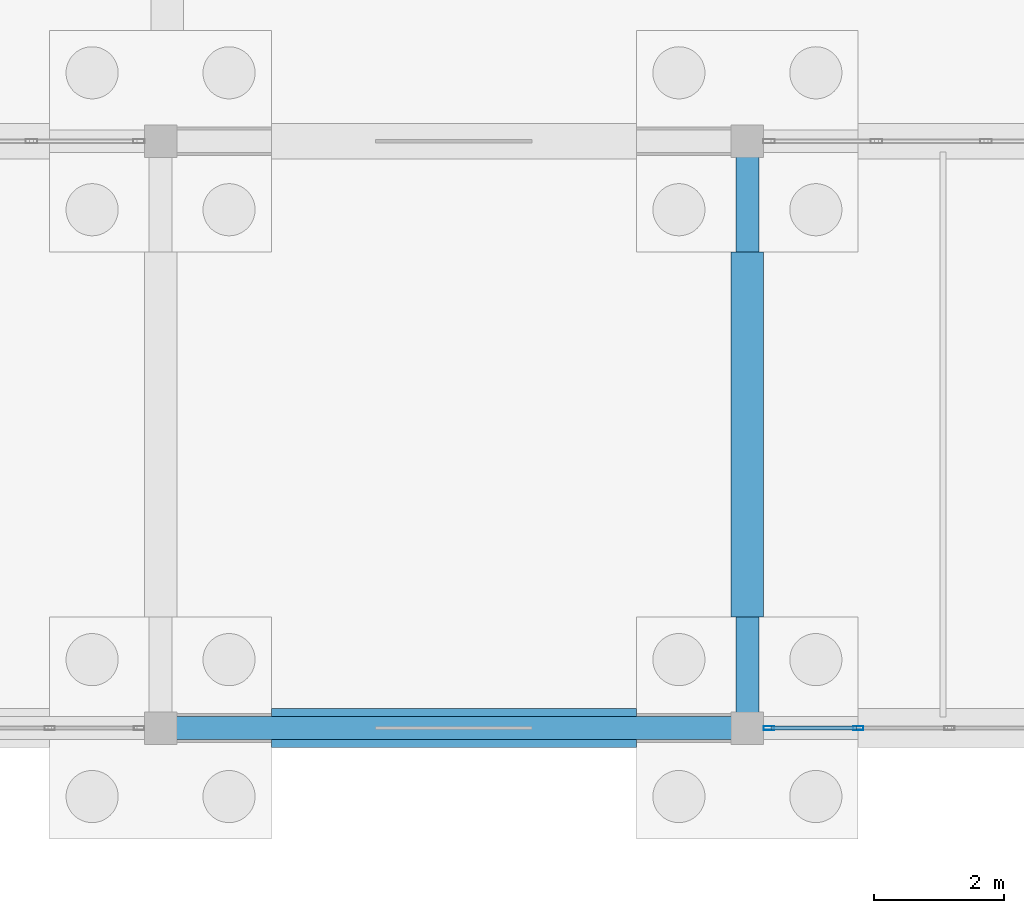
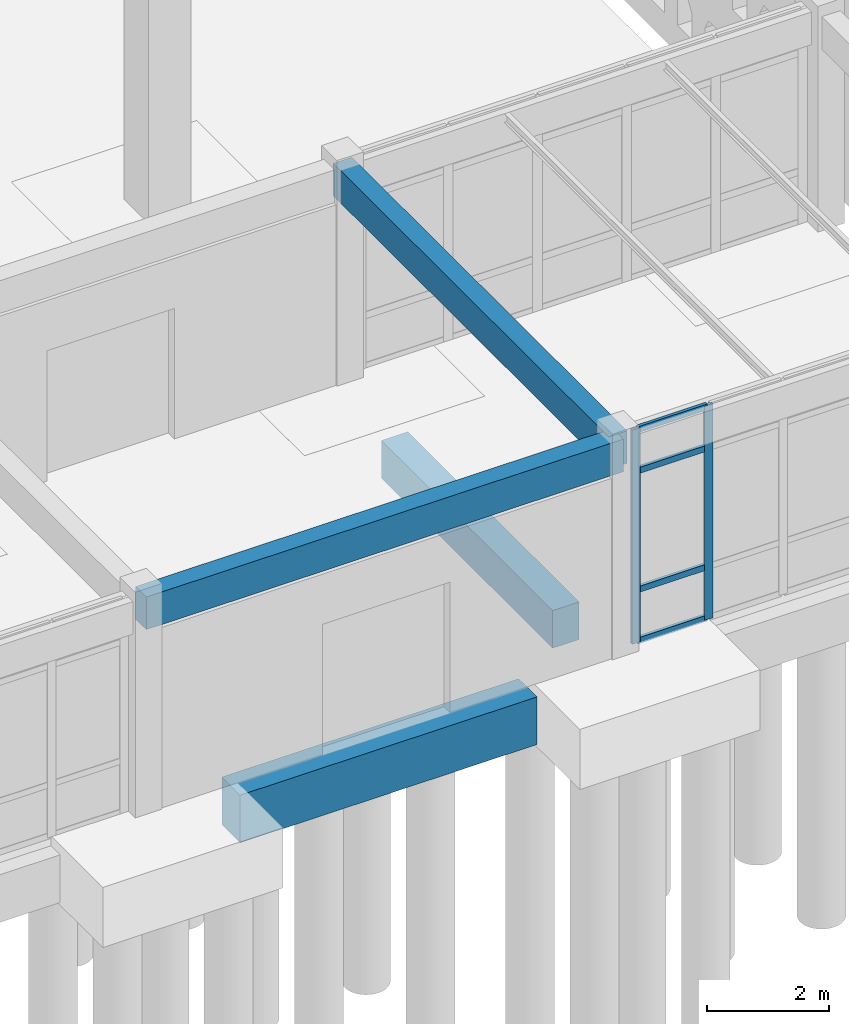
# One storey, part 30 of 186: 6 members, 4 beams, 1 element without a shape of its own.
"""IFC4 building model written with IfcOpenShell, lengths in metres."""

from ifc_helpers import new_model, si_unit, direction, frame, origin, origin_2d, place, context, subcontext, project, spatial, rectangle, hollow_rectangle, extrude, material, layer, layer_set, material_profile, profile_set, type_object, element, aggregate, save


model = new_model("IFC4")

# Units and contexts
model_context = context("Model", 3, precision=1e-05, world=origin(), true_north=direction((0.0, 1.0)))
body_context = subcontext(model_context, "Body", "Model", "MODEL_VIEW")
ifc_project = project(units=[si_unit("LENGTHUNIT", "METRE"), si_unit("AREAUNIT", "SQUARE_METRE"), si_unit("VOLUMEUNIT", "CUBIC_METRE"), si_unit("PLANEANGLEUNIT", "RADIAN"), si_unit("MASSUNIT", "GRAM", prefix="KILO")], contexts=[model_context])

# Site, building, storey
site_placement = place(None, origin())
site = spatial("IfcSite", under=ifc_project, at=site_placement, CompositionType="ELEMENT")
building_placement = place(site_placement, origin())
building = spatial("IfcBuilding", under=site, at=building_placement, Name="Ornek Quay Market", CompositionType="ELEMENT")
storey_placement = place(building_placement, origin())
storey = spatial("IfcBuildingStorey", under=building, at=storey_placement, Name="L00", CompositionType="ELEMENT", Elevation=0.0)

# Beams
ifc_material_1 = material(Name="Concrete C35/45", Category="concrete")
ifc_material_profile_1 = material_profile(ifc_material_1, rectangle(XDim=0.35009765625, YDim=0.64990234375, at=origin_2d()), Name="RC 350x650", Category="concrete")
ifc_profile_set_1 = profile_set([ifc_material_profile_1], Name="Concrete C35/45")
beam_type_1 = type_object("IfcBeamType", Name="BM-CONC-350x650", PredefinedType="BEAM", material=ifc_profile_set_1)
for number, where, z_axis, x_axis, name in (
    (1, (36.0, 20.0, 3.945068359375), (1.0, 0.0, 0.0), (0.0, 1.0, 0.0), "Primary beam B-CN1-065"),
    (2, (45.0, 20.0, 3.945068359375), (0.0, 1.0, 0.0), (-1.0, 0.0, 0.0), "Primary beam B-CN1-071"),
):
    element("IfcBeam", number, at=place(storey_placement, frame(where, z_axis=z_axis, x_axis=x_axis)), inside=storey, type_object=beam_type_1, Name=name, PredefinedType="BEAM", context=body_context, shape_type="SweptSolid", body=[
        extrude(rectangle(XDim=0.35009765625, YDim=0.64990234375, at=origin_2d()), origin(), (0.0, 0.0, 1.0), 9.0),
    ])
ifc_material_profile_2 = material_profile(ifc_material_1, rectangle(XDim=0.5, YDim=0.75, at=origin_2d()), Name="RC 500x750", Category="concrete")
ifc_profile_set_2 = profile_set([ifc_material_profile_2], Name="Concrete C35/45")
beam_type_2 = type_object("IfcBeamType", Name="BM-GB-500x750", PredefinedType="BEAM", material=ifc_profile_set_2)
beam_1_placement = place(storey_placement, frame((45.0, 21.699951171875, -0.574951171875), z_axis=(0.0, 1.0, 0.0), x_axis=(-1.0, 0.0, 0.0)))
element("IfcBeam", 3, at=beam_1_placement, inside=storey, type_object=beam_type_2, Name="Ground tie beam GB-106", PredefinedType="BEAM", context=body_context, shape_type="SweptSolid", body=[
    extrude(rectangle(XDim=0.5, YDim=0.75, at=origin_2d()), origin(), (0.0, 0.0, 1.0), 5.60009765625),
])
ifc_material_profile_3 = material_profile(ifc_material_1, rectangle(XDim=0.60009765625, YDim=0.949951171875, at=origin_2d()), Name="RC 600x950", Category="concrete")
ifc_profile_set_3 = profile_set([ifc_material_profile_3], Name="Concrete C35/45")
beam_type_3 = type_object("IfcBeamType", Name="BM-GB-600x950", PredefinedType="BEAM", material=ifc_profile_set_3)
beam_2_placement = place(storey_placement, frame((37.699951171875, 20.0, -0.675048828125), z_axis=(1.0, 0.0, 0.0), x_axis=(0.0, 1.0, 0.0)))
element("IfcBeam", 4, at=beam_2_placement, inside=storey, type_object=beam_type_3, Name="Ground tie beam GB-003", PredefinedType="BEAM", context=body_context, shape_type="SweptSolid", body=[
    extrude(rectangle(XDim=0.60009765625, YDim=0.949951171875, at=origin_2d()), origin(), (0.0, 0.0, 1.0), 5.60009765625),
])

# Curtain wall, members
ifc_material_2 = material(Name="Anodised bronze aluminium and triple low-e glass", Category="aluminium")
ifc_layer = layer(ifc_material_2, 0.179931640625, Name="Anodised bronze aluminium and triple low-e glass", Category="aluminium")
ifc_layer_set = layer_set([ifc_layer], Name="Anodised bronze aluminium and triple low-e glass")
curtain_wall_type = type_object("IfcCurtainWallType", Name="CW-CONC-MOD1500", PredefinedType="USERDEFINED", material=ifc_layer_set)
curtain_wall_placement = place(storey_placement, origin())
curtain_wall = element("IfcCurtainWall", 5, at=curtain_wall_placement, inside=storey, type_object=curtain_wall_type, Name="Curtain wall CW-012", ObjectType="CURTAIN WALL", PredefinedType="USERDEFINED")
ifc_material_3 = material(Name="Anodised aluminium 6063-T6", Category="aluminium")
ifc_material_profile_4 = material_profile(ifc_material_3, hollow_rectangle(XDim=0.06005859375, YDim=0.159912109375, WallThickness=0.00390625, at=origin_2d()), Name="CW-MUL-60x160", Category="aluminium")
ifc_profile_set_4 = profile_set([ifc_material_profile_4], Name="Anodised aluminium 6063-T6")
member_type_1 = type_object("IfcMemberType", Name="CW-MUL-60x160", PredefinedType="MULLION", material=ifc_profile_set_4)
member_1_placement = place(storey_placement, frame((45.330078125, 20.0, 0.0), z_axis=(0.0, 0.0, 1.0), x_axis=(0.0, 1.0, 0.0)))
member_1 = element("IfcMember", 6, at=member_1_placement, type_object=member_type_1, Name="CW-012 mullion 1", PredefinedType="MULLION", context=body_context, shape_type="SweptSolid", body=[
    extrude(hollow_rectangle(XDim=0.06005859375, YDim=0.159912109375, WallThickness=0.00390625, at=origin_2d()), origin(), (0.0, 0.0, 1.0), 4.27001953125),
])
member_2_placement = place(storey_placement, frame((46.699951171875, 20.0, 0.0), z_axis=(0.0, 0.0, 1.0), x_axis=(0.0, 1.0, 0.0)))
member_2 = element("IfcMember", 7, at=member_2_placement, type_object=member_type_1, Name="CW-012 mullion 2", PredefinedType="MULLION", context=body_context, shape_type="SweptSolid", body=[
    extrude(hollow_rectangle(XDim=0.06005859375, YDim=0.159912109375, WallThickness=0.00390625, at=origin_2d()), origin(), (0.0, 0.0, 1.0), 4.27001953125),
])
ifc_material_profile_5 = material_profile(ifc_material_3, hollow_rectangle(XDim=0.06005859375, YDim=0.1201171875, WallThickness=0.00390625, at=origin_2d()), Name="CW-TRN-60x120", Category="aluminium")
ifc_profile_set_5 = profile_set([ifc_material_profile_5], Name="Anodised aluminium 6063-T6")
member_type_2 = type_object("IfcMemberType", Name="CW-TRN-60x120", PredefinedType="USERDEFINED", material=ifc_profile_set_5)
member_3_placement = place(storey_placement, frame((45.360107421875, 20.0, 0.030029296875), z_axis=(1.0, 0.0, 0.0), x_axis=(0.0, 1.0, 0.0)))
member_3 = element("IfcMember", 8, at=member_3_placement, type_object=member_type_2, Name="CW-012 transom 1.1", ObjectType="TRANSOM", PredefinedType="USERDEFINED", context=body_context, shape_type="SweptSolid", body=[
    extrude(hollow_rectangle(XDim=0.06005859375, YDim=0.1201171875, WallThickness=0.00390625, at=origin_2d()), origin(), (0.0, 0.0, 1.0), 1.309814453125),
])
member_4_placement = place(storey_placement, frame((45.360107421875, 20.0, 1.050048828125), z_axis=(1.0, 0.0, 0.0), x_axis=(0.0, 1.0, 0.0)))
member_4 = element("IfcMember", 9, at=member_4_placement, type_object=member_type_2, Name="CW-012 transom 1.2", ObjectType="TRANSOM", PredefinedType="USERDEFINED", context=body_context, shape_type="SweptSolid", body=[
    extrude(hollow_rectangle(XDim=0.06005859375, YDim=0.1201171875, WallThickness=0.00390625, at=origin_2d()), origin(), (0.0, 0.0, 1.0), 1.309814453125),
])
member_5_placement = place(storey_placement, frame((45.360107421875, 20.0, 3.419921875), z_axis=(1.0, 0.0, 0.0), x_axis=(0.0, 1.0, 0.0)))
member_5 = element("IfcMember", 10, at=member_5_placement, type_object=member_type_2, Name="CW-012 transom 1.3", ObjectType="TRANSOM", PredefinedType="USERDEFINED", context=body_context, shape_type="SweptSolid", body=[
    extrude(hollow_rectangle(XDim=0.06005859375, YDim=0.1201171875, WallThickness=0.00390625, at=origin_2d()), origin(), (0.0, 0.0, 1.0), 1.309814453125),
])
member_6_placement = place(storey_placement, frame((45.360107421875, 20.0, 4.239990234375), z_axis=(1.0, 0.0, 0.0), x_axis=(0.0, 1.0, 0.0)))
member_6 = element("IfcMember", 11, at=member_6_placement, type_object=member_type_2, Name="CW-012 transom 1.4", ObjectType="TRANSOM", PredefinedType="USERDEFINED", context=body_context, shape_type="SweptSolid", body=[
    extrude(hollow_rectangle(XDim=0.06005859375, YDim=0.1201171875, WallThickness=0.00390625, at=origin_2d()), origin(), (0.0, 0.0, 1.0), 1.309814453125),
])
aggregate(curtain_wall, [member_1, member_2, member_3, member_4, member_5, member_6])

save(model, "model.ifc")
